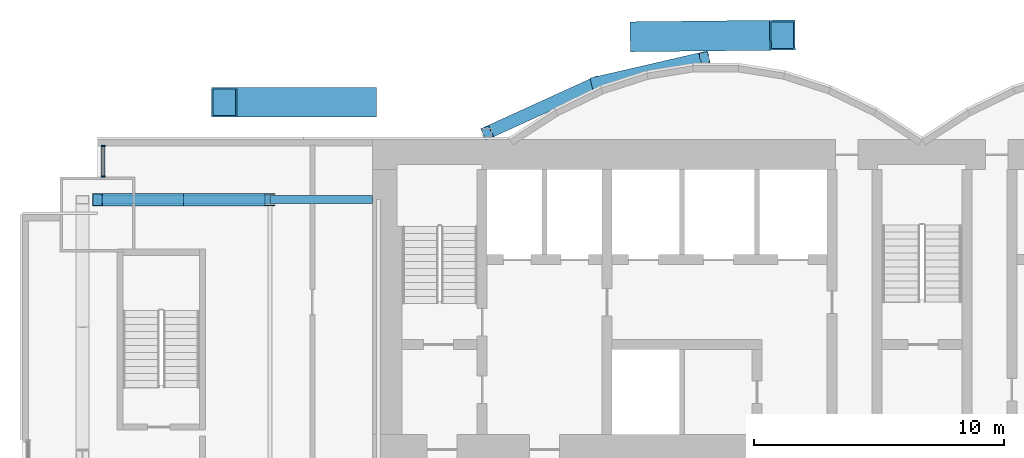
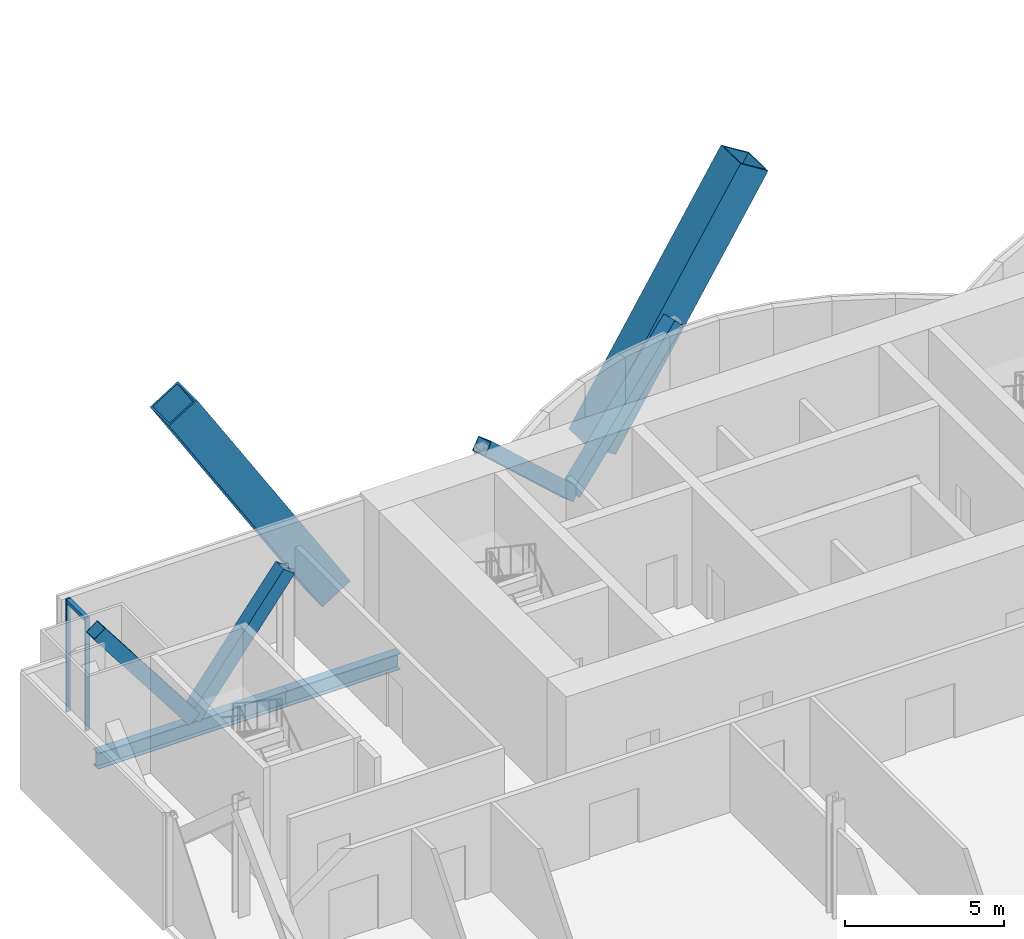
# One storey, part 11 of 22: 9 members, 2 beams, 1 element without a shape of its own.
"""IFC4 building model written with IfcOpenShell, lengths in metres."""

from ifc_helpers import new_model, si_unit, direction, frame, origin, origin_2d, place, context, subcontext, project, spatial, rectangle, hollow_rectangle, i_section, extrude, material, material_profile, profile_set, type_object, element, aggregate, save


model = new_model("IFC4")

# Units and contexts
model_context = context("Model", 3, precision=1e-05, world=origin(), true_north=direction((0.0, 1.0)))
body_context = subcontext(model_context, "Body", "Model", "MODEL_VIEW")
ifc_project = project(units=[si_unit("LENGTHUNIT", "METRE"), si_unit("AREAUNIT", "SQUARE_METRE"), si_unit("VOLUMEUNIT", "CUBIC_METRE"), si_unit("PLANEANGLEUNIT", "RADIAN"), si_unit("MASSUNIT", "GRAM", prefix="KILO")], contexts=[model_context])

# Site, building, storey
site_placement = place(None, origin())
site = spatial("IfcSite", under=ifc_project, at=site_placement, CompositionType="ELEMENT")
building_placement = place(site_placement, origin())
building = spatial("IfcBuilding", under=site, at=building_placement, Name="Bicima Exchange Tower", CompositionType="ELEMENT")
storey_placement = place(building_placement, frame((0.0, 0.0, 71.0)))
storey = spatial("IfcBuildingStorey", under=building, at=storey_placement, Name="L14", CompositionType="ELEMENT", Elevation=71.0)

# Members
ifc_material_1 = material(Name="Steel ASTM A572 Gr 50", Category="steel")
ifc_material_profile_1 = material_profile(ifc_material_1, hollow_rectangle(XDim=1.199951171875, YDim=1.199951171875, WallThickness=0.070068359375, at=origin_2d()))
ifc_profile_set_1 = profile_set([ifc_material_profile_1], Name="Steel ASTM A572 Gr 50")
member_type_1 = type_object("IfcMemberType", Name="Exo mega brace BOX 1200x1200x70", PredefinedType="BRACE", material=ifc_profile_set_1)
member_1_placement = place(storey_placement, frame((-11.166748046875, 4.125, 0.14990234375), z_axis=(0.530354626985, 0.005843872584, 0.847755754206), x_axis=(-0.011018133066, 0.99993929853, 0.0)))
element("IfcMember", 1, at=member_1_placement, inside=storey, type_object=member_type_1, Name="Exo mega brace rear", PredefinedType="BRACE", context=body_context, shape_type="SweptSolid", body=[
    extrude(hollow_rectangle(XDim=1.199951171875, YDim=1.199951171875, WallThickness=0.070068359375, at=origin_2d()), origin(), (0.0, 0.0, 1.0), 10.52783203125),
])
member_2_placement = place(storey_placement, frame((-22.333251953125, 1.5, 0.14990234375), z_axis=(-0.530363683247, 0.0, 0.847770230365), x_axis=(0.0, -1.0, 0.0)))
element("IfcMember", 2, at=member_2_placement, inside=storey, type_object=member_type_1, Name="Exo mega brace rear", PredefinedType="BRACE", context=body_context, shape_type="SweptSolid", body=[
    extrude(hollow_rectangle(XDim=1.199951171875, YDim=1.199951171875, WallThickness=0.070068359375, at=origin_2d()), origin(), (0.0, 0.0, 1.0), 10.527587890625),
])

# Curtain wall, members
ifc_material_2 = material(Name="Anodised bronze aluminium", Category="aluminium")
curtain_wall_type = type_object("IfcCurtainWallType", Name="Front glass wall", PredefinedType="NOTDEFINED", material=ifc_material_2)
curtain_wall_placement = place(storey_placement, origin())
curtain_wall = element("IfcCurtainWall", 3, at=curtain_wall_placement, inside=storey, type_object=curtain_wall_type, Name="Front glass wall L14 run 1", PredefinedType="NOTDEFINED")
ifc_material_profile_2 = material_profile(ifc_material_2, rectangle(XDim=0.159912109375, YDim=0.06005859375, at=origin_2d()))
ifc_profile_set_2 = profile_set([ifc_material_profile_2], Name="Anodised bronze aluminium")
member_type_2 = type_object("IfcMemberType", Name="Front glass wall mullion 60 x 160", PredefinedType="MULLION", material=ifc_profile_set_2)
member_3_placement = place(storey_placement, frame((-32.77001953125, -0.260009765625, 0.0), z_axis=(0.0, 0.0, 1.0), x_axis=(1.0, 0.0, 0.0)))
member_3 = element("IfcMember", 4, at=member_3_placement, type_object=member_type_2, Name="Front glass wall mullion 1", PredefinedType="MULLION", context=body_context, shape_type="SweptSolid", body=[
    extrude(rectangle(XDim=0.159912109375, YDim=0.06005859375, at=origin_2d()), origin(), (0.0, 0.0, 1.0), 4.35009765625),
])
member_4_placement = place(storey_placement, frame((-32.77001953125, -1.469970703125, 0.0), z_axis=(0.0, 0.0, 1.0), x_axis=(1.0, 0.0, 0.0)))
member_4 = element("IfcMember", 5, at=member_4_placement, type_object=member_type_2, Name="Front glass wall mullion 2", PredefinedType="MULLION", context=body_context, shape_type="SweptSolid", body=[
    extrude(rectangle(XDim=0.159912109375, YDim=0.06005859375, at=origin_2d()), origin(), (0.0, 0.0, 1.0), 4.35009765625),
])
ifc_material_profile_3 = material_profile(ifc_material_2, rectangle(XDim=0.159912109375, YDim=0.139892578125, at=origin_2d()))
ifc_profile_set_3 = profile_set([ifc_material_profile_3], Name="Anodised bronze aluminium")
member_type_3 = type_object("IfcMemberType", Name="Front glass wall transom 140 x 160", PredefinedType="USERDEFINED", material=ifc_profile_set_3)
member_5_placement = place(storey_placement, frame((-32.77001953125, -0.2900390625, 4.280029296875), z_axis=(0.0, -1.0, 0.0), x_axis=(1.0, 0.0, 0.0)))
member_5 = element("IfcMember", 6, at=member_5_placement, type_object=member_type_3, Name="Front glass wall transom 1.1", ObjectType="TRANSOM", PredefinedType="USERDEFINED", context=body_context, shape_type="SweptSolid", body=[
    extrude(rectangle(XDim=0.159912109375, YDim=0.139892578125, at=origin_2d()), origin(), (0.0, 0.0, 1.0), 1.14990234375),
])
aggregate(curtain_wall, [member_3, member_4, member_5])

# Members
ifc_material_profile_4 = material_profile(ifc_material_1, hollow_rectangle(XDim=0.508056640625, YDim=0.508056640625, WallThickness=0.017822265625, at=origin_2d()))
ifc_profile_set_4 = profile_set([ifc_material_profile_4], Name="Steel ASTM A572 Gr 50")
member_type_4 = type_object("IfcMemberType", Name="Mega brace HSS20x20x3/4", PredefinedType="BRACE", material=ifc_profile_set_4)
member_6_placement = place(storey_placement, frame((-13.050048828125, 2.262451171875, 0.0), z_axis=(0.686212303743, 0.158786245837, 0.709858860848), x_axis=(-0.225438503722, 0.974257399787, 0.0)))
element("IfcMember", 7, at=member_6_placement, inside=storey, type_object=member_type_4, Name="Mega brace rexo", PredefinedType="BRACE", context=body_context, shape_type="SweptSolid", body=[
    extrude(hollow_rectangle(XDim=0.508056640625, YDim=0.508056640625, WallThickness=0.017822265625, at=origin_2d()), origin(), (0.0, 0.0, 1.0), 6.33935546875),
])
member_7_placement = place(storey_placement, frame((-13.050048828125, 2.262451171875, 0.0), z_axis=(-0.662507516739, -0.302231638101, 0.685375683254), x_axis=(0.415045223819, -0.909800781592, 0.0)))
element("IfcMember", 8, at=member_7_placement, inside=storey, type_object=member_type_4, Name="Mega brace rexo", PredefinedType="BRACE", context=body_context, shape_type="SweptSolid", body=[
    extrude(hollow_rectangle(XDim=0.508056640625, YDim=0.508056640625, WallThickness=0.017822265625, at=origin_2d()), origin(), (0.0, 0.0, 1.0), 6.565673828125),
])
for number, where, z_axis, x_axis, name in (
    (9, (-29.550048828125, -2.39990234375, 0.0), (0.608426120198, 0.0, 0.793610519248), (0.0, 1.0, 0.0), "Mega brace rear"),
    (10, (-29.550048828125, -2.39990234375, 0.0), (-0.608426120198, 0.0, 0.793610519248), (0.0, -1.0, 0.0), "Mega brace rear"),
):
    element("IfcMember", number, at=place(storey_placement, frame(where, z_axis=z_axis, x_axis=x_axis)), inside=storey, type_object=member_type_4, Name=name, PredefinedType="BRACE", context=body_context, shape_type="SweptSolid", body=[
        extrude(hollow_rectangle(XDim=0.508056640625, YDim=0.508056640625, WallThickness=0.017822265625, at=origin_2d()), origin(), (0.0, 0.0, 1.0), 5.670166015625),
    ])

# Beams
ifc_material_3 = material(Name="Steel ASTM A992 Gr 50", Category="steel")
ifc_material_profile_5 = material_profile(ifc_material_3, i_section(OverallWidth=0.3251953125, OverallDepth=0.612060546875, WebThickness=0.0126953125, FlangeThickness=0.01904296875, at=origin_2d()))
ifc_profile_set_5 = profile_set([ifc_material_profile_5], Name="Steel ASTM A992 Gr 50")
beam_type = type_object("IfcBeamType", Name="Rear girder W24x104", PredefinedType="BEAM", material=ifc_profile_set_5)
beam_1_placement = place(storey_placement, frame((-22.0, -2.39990234375, -0.4560546875), z_axis=(-1.0, 0.0, 0.0), x_axis=(0.0, -1.0, 0.0)))
element("IfcBeam", 11, at=beam_1_placement, inside=storey, type_object=beam_type, Name="Rear girder", PredefinedType="BEAM", context=body_context, shape_type="SweptSolid", body=[
    extrude(i_section(OverallWidth=0.3251953125, OverallDepth=0.612060546875, WebThickness=0.0126953125, FlangeThickness=0.01904296875, at=origin_2d()), origin(), (0.0, 0.0, 1.0), 4.10009765625),
])
beam_2_placement = place(storey_placement, frame((-26.10009765625, -2.39990234375, -0.4560546875), z_axis=(-1.0, 0.0, 0.0), x_axis=(0.0, -1.0, 0.0)))
element("IfcBeam", 12, at=beam_2_placement, inside=storey, type_object=beam_type, Name="Rear girder", PredefinedType="BEAM", context=body_context, shape_type="SweptSolid", body=[
    extrude(i_section(OverallWidth=0.3251953125, OverallDepth=0.612060546875, WebThickness=0.0126953125, FlangeThickness=0.01904296875, at=origin_2d()), origin(), (0.0, 0.0, 1.0), 6.89990234375),
])

save(model, "model.ifc")
